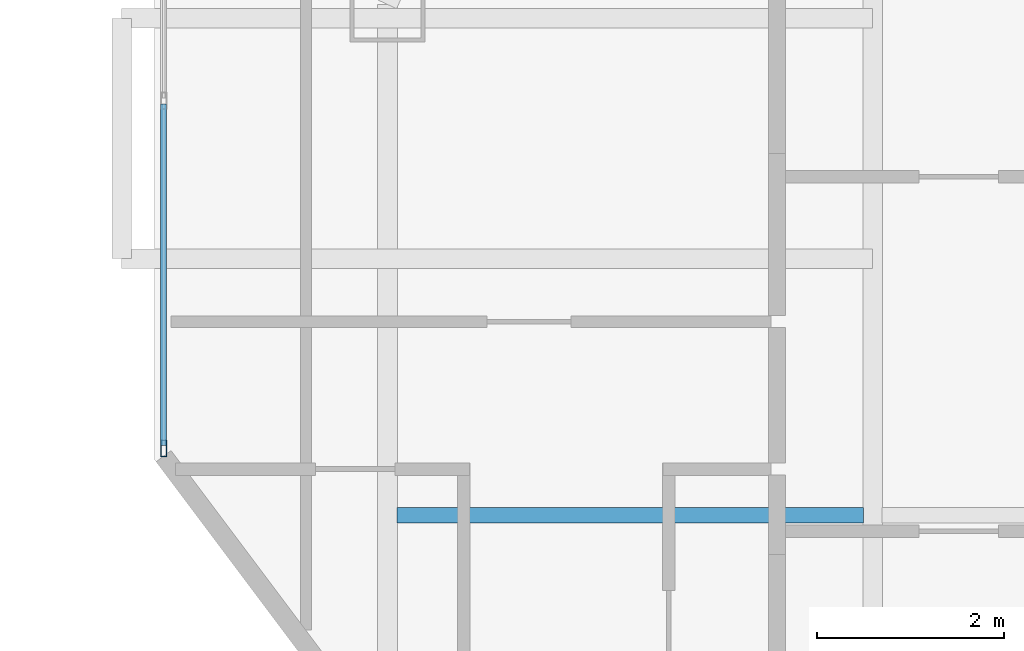
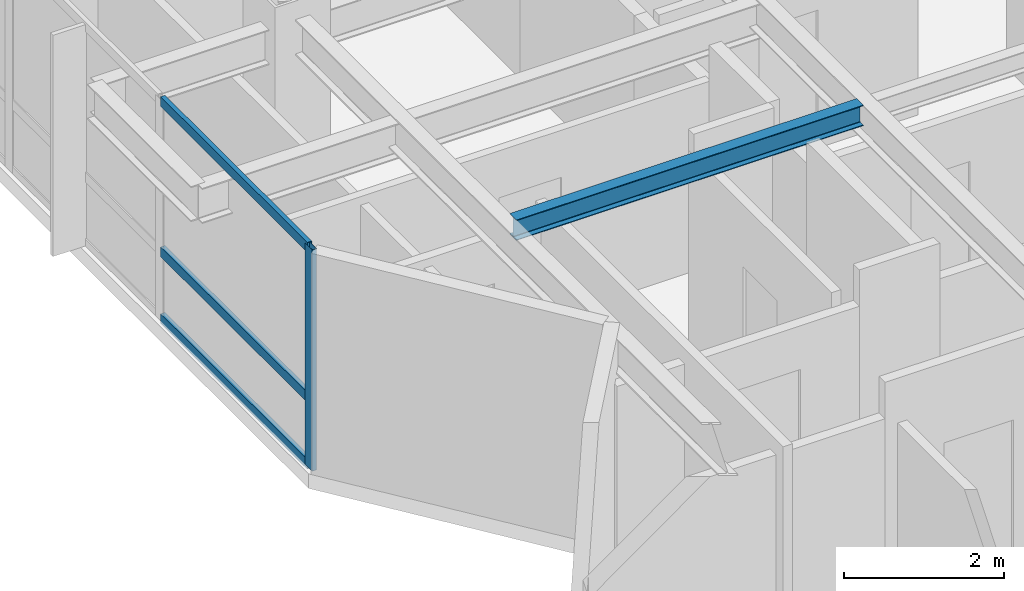
# One storey, part 2 of 20: 4 members, 1 beam, 1 element without a shape of its own.
"""IFC4 building model written with IfcOpenShell, lengths in metres."""

import ifcopenshell
import ifcopenshell.guid

model = None  # the IFC model being written
_history = None  # IfcOwnerHistory: only IFC2X3 demands one
_inside = {}  # id of a spatial element -> (the spatial element, [elements in it])
_under = {}  # id of a project, library or spatial element -> (it, [spatial elements below it])
_declared = {}  # id of a project -> (the project, [libraries it declares])
_typed = {}  # id of a type object -> (the type object, [elements of that type])
_made_of = {}  # id of a material, layer set ... -> (it, [elements and type objects made of it])


def new_model(schema):
    """Start an empty IFC model of exactly this schema.

    Asked for "IFC4X3", IfcOpenShell would pick the latest addendum, in which some entities
    have other attributes; the version numbers below select the first issue.
    IFC2X3 requires an IfcOwnerHistory on every rooted entity: one is made here for all.
    """
    global model, _history
    if schema == "IFC4X3":
        model = ifcopenshell.file(schema_version=(4, 3, 0, 0))
    else:
        model = ifcopenshell.file(schema=schema)
    _inside.clear()
    _under.clear()
    _declared.clear()
    _typed.clear()
    _made_of.clear()
    _history = None
    if model.schema == "IFC2X3":
        org = make("IfcOrganization", Name="unknown")
        user = make(
            "IfcPersonAndOrganization",
            ThePerson=make("IfcPerson", FamilyName="unknown"),
            TheOrganization=org,
        )
        app = make(
            "IfcApplication",
            ApplicationDeveloper=org,
            Version="unknown",
            ApplicationFullName="unknown",
            ApplicationIdentifier="unknown",
        )
        _history = make(
            "IfcOwnerHistory",
            OwningUser=user,
            OwningApplication=app,
            ChangeAction="ADDED",
            CreationDate=0,
        )
    return model


def make(cls, **values):
    """One entity of the class cls with the attributes given. An attribute that is None is left unset."""
    return model.create_entity(
        cls, **{name: value for name, value in values.items() if value is not None}
    )


def rooted(cls, **values):
    """An entity with a GlobalId (a new one), such as an element, a storey or a relation."""
    return make(cls, GlobalId=ifcopenshell.guid.new(), OwnerHistory=_history, **values)


def si_unit(unit_type, name, prefix=None):
    """IfcSIUnit, for example si_unit("LENGTHUNIT", "METRE", prefix="MILLI")."""
    return make("IfcSIUnit", UnitType=unit_type, Prefix=prefix, Name=name)


def assignment(units):
    """IfcUnitAssignment: the units of a project."""
    return None if units is None else make("IfcUnitAssignment", Units=units)


def point(xyz):
    """IfcCartesianPoint."""
    return None if xyz is None else make("IfcCartesianPoint", Coordinates=xyz)


def direction(xyz):
    """IfcDirection."""
    return None if xyz is None else make("IfcDirection", DirectionRatios=xyz)


def frame(location, z_axis=None, x_axis=None):
    """IfcAxis2Placement3D, a coordinate frame: its origin and axes. An axis left out is left unset."""
    return make(
        "IfcAxis2Placement3D",
        Location=point(location),
        Axis=direction(z_axis),
        RefDirection=direction(x_axis),
    )


def frame_2d(location, x_axis=None):
    """IfcAxis2Placement2D, a coordinate frame in the plane: its origin and x axis."""
    return make(
        "IfcAxis2Placement2D", Location=point(location), RefDirection=direction(x_axis)
    )


def origin():
    """The frame at (0, 0, 0) with its axes left unset."""
    return frame((0.0, 0.0, 0.0))


def origin_2d():
    """The frame at (0, 0) in the plane with its x axis left unset."""
    return frame_2d((0.0, 0.0))


def place(relative_to, where):
    """IfcLocalPlacement: puts the frame where relative to a parent placement (None: the world)."""
    return make(
        "IfcLocalPlacement", PlacementRelTo=relative_to, RelativePlacement=where
    )


def context(
    kind, dimensions, precision=None, world=None, true_north=None, identifier=None
):
    """IfcGeometricRepresentationContext, for example the 3D "Model" context."""
    return make(
        "IfcGeometricRepresentationContext",
        ContextIdentifier=identifier,
        ContextType=kind,
        CoordinateSpaceDimension=dimensions,
        Precision=precision,
        WorldCoordinateSystem=world,
        TrueNorth=true_north,
    )


def subcontext(parent, identifier, kind, view, scale=None):
    """IfcGeometricRepresentationSubContext, for example "Body" below "Model"."""
    return make(
        "IfcGeometricRepresentationSubContext",
        ContextIdentifier=identifier,
        ContextType=kind,
        ParentContext=parent,
        TargetScale=scale,
        TargetView=view,
    )


def project(units=None, contexts=None):
    """IfcProject with its units and contexts."""
    return rooted(
        "IfcProject",
        Name="project",
        RepresentationContexts=contexts,
        UnitsInContext=assignment(units),
    )


def spatial(cls, under=None, at=None, **own):
    """A site, building, storey or space (cls), placed at a placement, below another one or the project."""
    s = rooted(cls, ObjectPlacement=at, **own)
    if under is not None:
        _under.setdefault(under.id(), (under, []))[1].append(s)
    return s


def profile(cls, at=None, kind="AREA", **sizes):
    """A parametric profile (cls). Its sizes go by their IFC names, for example OverallWidth=200.0."""
    return make(cls, ProfileType=kind, Position=at, **sizes)


def hollow_rectangle(**sizes):
    """IfcRectangleHollowProfileDef."""
    return profile("IfcRectangleHollowProfileDef", **sizes)


def i_section(**sizes):
    """IfcIShapeProfileDef."""
    return profile("IfcIShapeProfileDef", **sizes)


def extrude(swept, where, along, depth):
    """IfcExtrudedAreaSolid: the profile swept, set in the frame where, extruded along a direction by depth."""
    return make(
        "IfcExtrudedAreaSolid",
        SweptArea=swept,
        Position=where,
        ExtrudedDirection=direction(along),
        Depth=depth,
    )


def shape(context_of_items, identifier, shape_type, items):
    """IfcShapeRepresentation: the items that make up one representation, for example the "Body"."""
    return make(
        "IfcShapeRepresentation",
        ContextOfItems=context_of_items,
        RepresentationIdentifier=identifier,
        RepresentationType=shape_type,
        Items=items,
    )


def material(Name=None, Category=None):
    """IfcMaterial."""
    return make("IfcMaterial", Name=Name, Category=Category)


def material_profile(
    of_material, cross_section, Name=None, Category=None, Priority=None
):
    """IfcMaterialProfile: a cross section and its material."""
    return make(
        "IfcMaterialProfile",
        Name=Name,
        Material=of_material,
        Profile=cross_section,
        Priority=Priority,
        Category=Category,
    )


def profile_set(profiles, Name=None, composite=None):
    """IfcMaterialProfileSet."""
    return make(
        "IfcMaterialProfileSet",
        Name=Name,
        MaterialProfiles=profiles,
        CompositeProfile=composite,
    )


def made_of(thing, what):
    """Note that an element or type object is made of a material, layer set ...; save() writes the relation."""
    if what is not None:
        _made_of.setdefault(what.id(), (what, []))[1].append(thing)
    return thing


def type_object(cls, material=None, **own):
    """A type object (cls), such as IfcWallType, which elements share."""
    return made_of(rooted(cls, **own), material)


def element(
    cls,
    number,
    at=None,
    inside=None,
    cuts=None,
    type_object=None,
    material=None,
    context=None,
    identifier="Body",
    shape_type=None,
    held_by="IfcProductDefinitionShape",
    body=None,
    shapes=None,
    **own,
):
    """One element of the class cls, such as IfcWall. Its Tag is "e" and its number.

    at: its placement. inside: the storey or other place that contains it. cuts: it is an
    opening in that element (IfcRelVoidsElement). A single representation is given by context,
    identifier, shape_type and body (its items); several are given by shapes. held_by: the class
    of the entity that holds the representations. save() writes the other relations.
    """
    e = rooted(cls, Tag="e%d" % number, ObjectPlacement=at, **own)
    if body is not None:
        shapes = [shape(context, identifier, shape_type, body)]
    if shapes is not None:
        e.Representation = make(held_by, Representations=shapes)
    if inside is not None:
        _inside.setdefault(inside.id(), (inside, []))[1].append(e)
    if cuts is not None:
        rooted(
            "IfcRelVoidsElement", RelatingBuildingElement=cuts, RelatedOpeningElement=e
        )
    if type_object is not None:
        _typed.setdefault(type_object.id(), (type_object, []))[1].append(e)
    return made_of(e, material)


def aggregate(whole, parts):
    """IfcRelAggregates: a whole, such as a stair, and the parts it consists of."""
    return rooted("IfcRelAggregates", RelatingObject=whole, RelatedObjects=parts)


def save(model, path):
    """Write the relations noted so far, then the file.

    IfcRelAggregates (storeys below a building ...), IfcRelContainedInSpatialStructure (elements
    in a storey), IfcRelDefinesByType, IfcRelAssociatesMaterial and IfcRelDeclares: one each for
    every whole, place, type object, material and project.
    """
    for whole, parts in _under.values():
        aggregate(whole, parts)
    for where, things in _inside.values():
        rooted(
            "IfcRelContainedInSpatialStructure",
            RelatedElements=things,
            RelatingStructure=where,
        )
    for kind, things in _typed.values():
        rooted("IfcRelDefinesByType", RelatedObjects=things, RelatingType=kind)
    for what, things in _made_of.values():
        rooted("IfcRelAssociatesMaterial", RelatedObjects=things, RelatingMaterial=what)
    for by, libraries in _declared.values():
        rooted("IfcRelDeclares", RelatingContext=by, RelatedDefinitions=libraries)
    model.write(path)


model = new_model("IFC4")

# Units and contexts
model_context = context("Model", 3, precision=1e-05, world=origin(), true_north=direction((0.0, 1.0)))
body_context = subcontext(model_context, "Body", "Model", "MODEL_VIEW")
ifc_project = project(units=[si_unit("LENGTHUNIT", "METRE"), si_unit("AREAUNIT", "SQUARE_METRE"), si_unit("VOLUMEUNIT", "CUBIC_METRE"), si_unit("PLANEANGLEUNIT", "RADIAN"), si_unit("MASSUNIT", "GRAM", prefix="KILO")], contexts=[model_context])

# Site, building, storey
site_placement = place(None, origin())
site = spatial("IfcSite", under=ifc_project, at=site_placement, CompositionType="ELEMENT")
building_placement = place(site_placement, origin())
building = spatial("IfcBuilding", under=site, at=building_placement, Name="Khamvora Tower", CompositionType="ELEMENT")
storey_placement = place(building_placement, frame((0.0, 0.0, 203.35009765625)))
storey = spatial("IfcBuildingStorey", under=building, at=storey_placement, Name="L52", CompositionType="ELEMENT", Elevation=203.35009765625)

# Beam
ifc_material_1 = material(Name="Steel S355", Category="steel")
ifc_material_profile_1 = material_profile(ifc_material_1, i_section(OverallWidth=0.166015625, OverallDepth=0.31298828125, WebThickness=0.007080078125, FlangeThickness=0.010986328125, FilletRadius=0.010009765625, at=origin_2d()), Name="W310x45")
ifc_profile_set_1 = profile_set([ifc_material_profile_1], Name="Steel S355")
beam_type = type_object("IfcBeamType", Name="BM-JS-W310x45", PredefinedType="JOIST", material=ifc_profile_set_1)
beam_placement = place(storey_placement, frame((17.40087890625, 30.60009765625, 3.2138671875), z_axis=(1.0, 0.0, 0.0), x_axis=(0.0, 1.0, 0.0)))
element("IfcBeam", 1, at=beam_placement, inside=storey, type_object=beam_type, Name="L52 secondary floor joist 04", PredefinedType="JOIST", context=body_context, shape_type="SweptSolid", body=[
    extrude(i_section(OverallWidth=0.166015625, OverallDepth=0.31298828125, WebThickness=0.007080078125, FlangeThickness=0.010986328125, FilletRadius=0.010009765625, at=origin_2d()), origin(), (0.0, 0.0, 1.0), 5.0),
])

# Curtain wall, members
ifc_material_2 = material(Name="Anodised Aluminium 6063-T6", Category="aluminium")
curtain_wall_type = type_object("IfcCurtainWallType", Name="CW-SYS-04", PredefinedType="NOTDEFINED", material=ifc_material_2)
curtain_wall_placement = place(storey_placement, origin())
curtain_wall = element("IfcCurtainWall", 2, at=curtain_wall_placement, inside=storey, type_object=curtain_wall_type, Name="L52 stick curtain wall 05.1", PredefinedType="NOTDEFINED")
ifc_material_profile_2 = material_profile(ifc_material_2, hollow_rectangle(XDim=0.06494140625, YDim=0.179931640625, WallThickness=0.0048828125, at=origin_2d()), Name="MUL65x180x5")
ifc_profile_set_2 = profile_set([ifc_material_profile_2], Name="Anodised Aluminium 6063-T6")
member_type_1 = type_object("IfcMemberType", Name="CW-SYS-04-MUL", PredefinedType="MULLION", material=ifc_profile_set_2)
member_1_placement = place(storey_placement, frame((14.89990234375, 31.31640625, 0.0), z_axis=(0.0, 0.0, 1.0), x_axis=(-1.0, 0.0, 0.0)))
member_1 = element("IfcMember", 3, at=member_1_placement, type_object=member_type_1, Name="CW-04 mullion 1", PredefinedType="MULLION", context=body_context, shape_type="SweptSolid", body=[
    extrude(hollow_rectangle(XDim=0.06494140625, YDim=0.179931640625, WallThickness=0.0048828125, at=origin_2d()), origin(), (0.0, 0.0, 1.0), 3.369873046875),
])
ifc_material_profile_3 = material_profile(ifc_material_2, hollow_rectangle(XDim=0.06494140625, YDim=0.14990234375, WallThickness=0.0048828125, at=origin_2d()), Name="TRN65x150x5")
ifc_profile_set_3 = profile_set([ifc_material_profile_3], Name="Anodised Aluminium 6063-T6")
member_type_2 = type_object("IfcMemberType", Name="CW-SYS-04-TRN", PredefinedType="USERDEFINED", material=ifc_profile_set_3)
member_2_placement = place(storey_placement, frame((14.89990234375, 31.34912109375, 0.032470703125), z_axis=(0.0, 1.0, 0.0), x_axis=(-1.0, 0.0, 0.0)))
member_2 = element("IfcMember", 4, at=member_2_placement, type_object=member_type_2, Name="CW-04 transom 1.1", ObjectType="TRANSOM", PredefinedType="USERDEFINED", context=body_context, shape_type="SweptSolid", body=[
    extrude(hollow_rectangle(XDim=0.06494140625, YDim=0.14990234375, WallThickness=0.0048828125, at=origin_2d()), origin(), (0.0, 0.0, 1.0), 3.66064453125),
])
member_3_placement = place(storey_placement, frame((14.89990234375, 31.34912109375, 1.0498046875), z_axis=(0.0, 1.0, 0.0), x_axis=(-1.0, 0.0, 0.0)))
member_3 = element("IfcMember", 5, at=member_3_placement, type_object=member_type_2, Name="CW-04 transom 1.2", ObjectType="TRANSOM", PredefinedType="USERDEFINED", context=body_context, shape_type="SweptSolid", body=[
    extrude(hollow_rectangle(XDim=0.06494140625, YDim=0.14990234375, WallThickness=0.0048828125, at=origin_2d()), origin(), (0.0, 0.0, 1.0), 3.66064453125),
])
member_4_placement = place(storey_placement, frame((14.89990234375, 31.34912109375, 3.33740234375), z_axis=(0.0, 1.0, 0.0), x_axis=(-1.0, 0.0, 0.0)))
member_4 = element("IfcMember", 6, at=member_4_placement, type_object=member_type_2, Name="CW-04 transom 1.3", ObjectType="TRANSOM", PredefinedType="USERDEFINED", context=body_context, shape_type="SweptSolid", body=[
    extrude(hollow_rectangle(XDim=0.06494140625, YDim=0.14990234375, WallThickness=0.0048828125, at=origin_2d()), origin(), (0.0, 0.0, 1.0), 3.66064453125),
])
aggregate(curtain_wall, [member_1, member_2, member_3, member_4])

save(model, "model.ifc")
